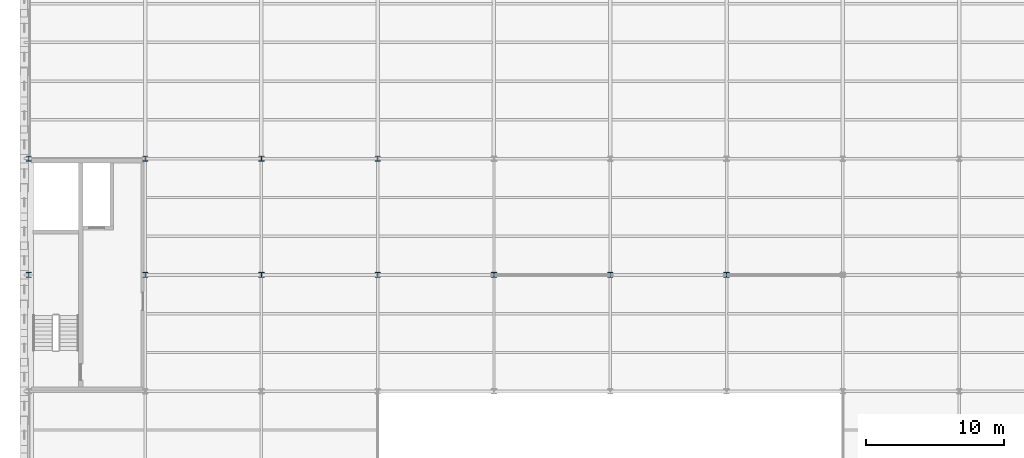
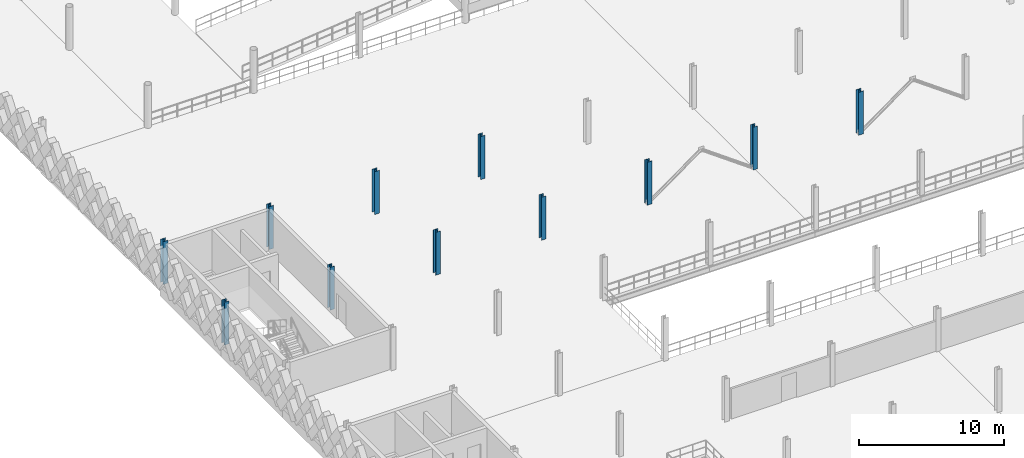
# One storey, part 7 of 62: 11 columns.
"""IFC4 building model written with IfcOpenShell, lengths in metres."""

from ifc_helpers import new_model, si_unit, direction, frame, origin, origin_2d, place, context, subcontext, project, spatial, i_section, extrude, material, material_profile, profile_set, type_object, element, save


model = new_model("IFC4")

# Units and contexts
model_context = context("Model", 3, precision=1e-05, world=origin(), true_north=direction((0.0, 1.0)))
body_context = subcontext(model_context, "Body", "Model", "MODEL_VIEW")
ifc_project = project(units=[si_unit("LENGTHUNIT", "METRE"), si_unit("AREAUNIT", "SQUARE_METRE"), si_unit("VOLUMEUNIT", "CUBIC_METRE"), si_unit("PLANEANGLEUNIT", "RADIAN"), si_unit("MASSUNIT", "GRAM", prefix="KILO"), si_unit("THERMODYNAMICTEMPERATUREUNIT", "KELVIN"), si_unit("POWERUNIT", "WATT")], contexts=[model_context])

# Site, building, storey
site_placement = place(None, origin())
site = spatial("IfcSite", under=ifc_project, at=site_placement, CompositionType="ELEMENT")
building_placement = place(site_placement, origin())
building = spatial("IfcBuilding", under=site, at=building_placement, Name="Tembeka Court Mobility Hub", CompositionType="ELEMENT")
storey_placement = place(building_placement, frame((0.0, 0.0, 16.199951171875)))
storey = spatial("IfcBuildingStorey", under=building, at=storey_placement, Name="L04", CompositionType="ELEMENT", Elevation=16.199951171875)

# Columns
ifc_material = material(Name="Steel S355", Category="steel")
ifc_material_profile = material_profile(ifc_material, i_section(OverallWidth=0.373046875, OverallDepth=0.367919921875, WebThickness=0.014404296875, FlangeThickness=0.023681640625, FilletRadius=0.01513671875, at=origin_2d()), Name="UKC 356x368x177")
ifc_profile_set = profile_set([ifc_material_profile], Name="Steel S355")
column_type = type_object("IfcColumnType", Name="COL-C03", PredefinedType="COLUMN", material=ifc_profile_set)
for number, where, z_axis, x_axis, name in (
    (1, (0.0, 72.0, 0.0), (0.0, 0.0, 1.0), (1.0, 0.0, 0.0), "Column C03 (L04-008)"),
    (2, (0.0, 80.39990234375, 0.0), (0.0, 0.0, 1.0), (1.0, 0.0, 0.0), "Column C03 (L04-009)"),
    (3, (8.39990234375, 72.0, 0.0), (0.0, 0.0, 1.0), (1.0, 0.0, 0.0), "Column C03 (L04-020)"),
    (4, (8.39990234375, 80.39990234375, 0.0), (0.0, 0.0, 1.0), (1.0, 0.0, 0.0), "Column C03 (L04-021)"),
    (5, (16.800048828125, 72.0, 0.0), (0.0, 0.0, 1.0), (1.0, 0.0, 0.0), "Column C03 (L04-032)"),
    (6, (16.800048828125, 80.39990234375, 0.0), (0.0, 0.0, 1.0), (1.0, 0.0, 0.0), "Column C03 (L04-033)"),
    (7, (25.199951171875, 72.0, 0.0), (0.0, 0.0, 1.0), (1.0, 0.0, 0.0), "Column C03 (L04-043)"),
    (8, (25.199951171875, 80.39990234375, 0.0), (0.0, 0.0, 1.0), (1.0, 0.0, 0.0), "Column C03 (L04-044)"),
    (9, (33.60009765625, 72.0, 0.0), (0.0, 0.0, 1.0), (1.0, 0.0, 0.0), "Column C03 (L04-054)"),
    (10, (42.0, 72.0, 0.0), (0.0, 0.0, 1.0), (1.0, 0.0, 0.0), "Column C03 (L04-066)"),
    (11, (50.39990234375, 72.0, 0.0), (0.0, 0.0, 1.0), (1.0, 0.0, 0.0), "Column C03 (L04-078)"),
):
    element("IfcColumn", number, at=place(storey_placement, frame(where, z_axis=z_axis, x_axis=x_axis)), inside=storey, type_object=column_type, Name=name, PredefinedType="COLUMN", context=body_context, shape_type="SweptSolid", body=[
        extrude(i_section(OverallWidth=0.373046875, OverallDepth=0.367919921875, WebThickness=0.014404296875, FlangeThickness=0.023681640625, FilletRadius=0.01513671875, at=origin_2d()), origin(), (0.0, 0.0, 1.0), 3.60009765625),
    ])

save(model, "model.ifc")
